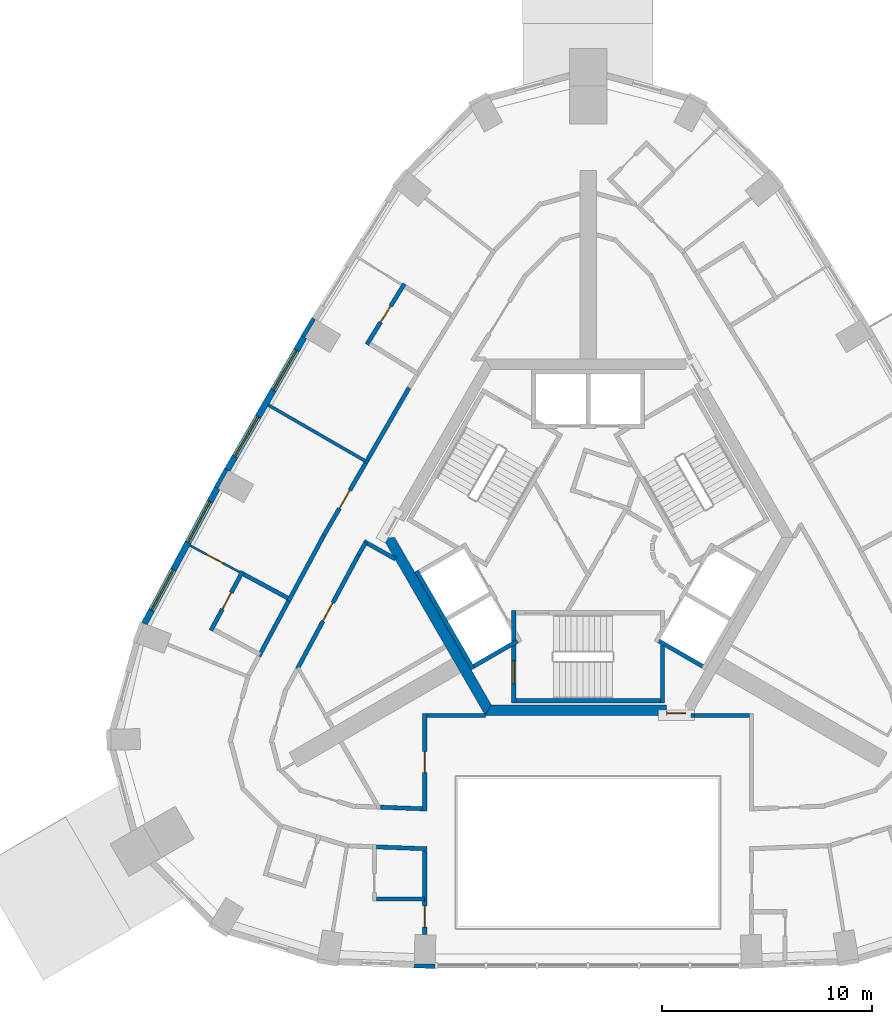
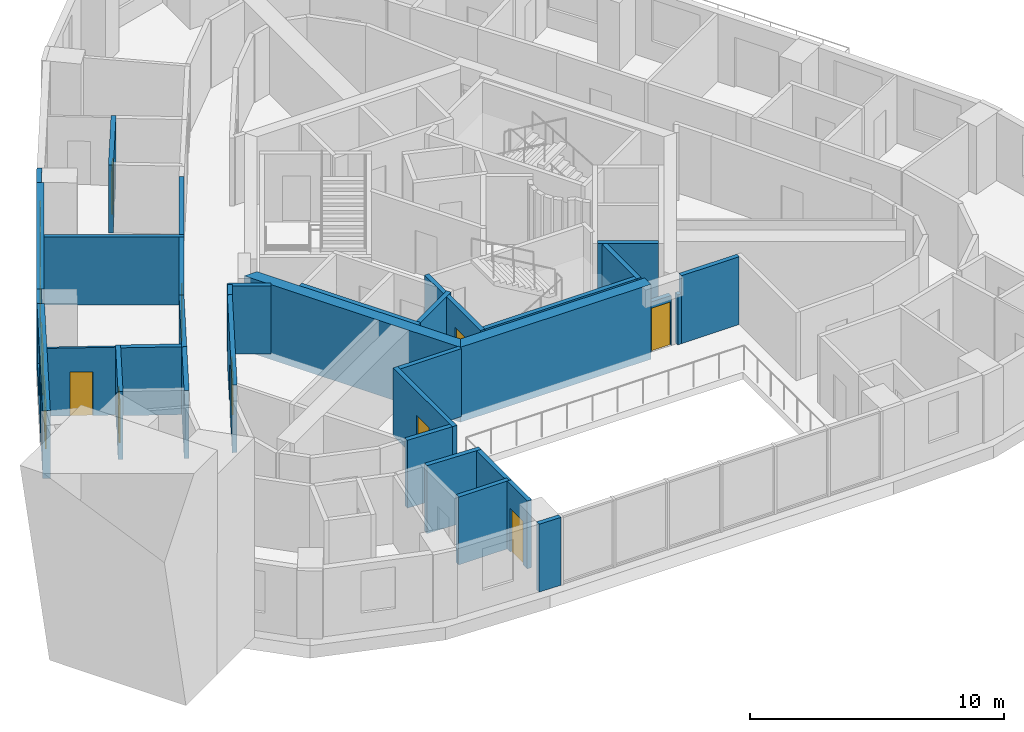
# One storey, part 4 of 11: 35 walls, 9 doors, 4 windows, 13 openings.
"""IFC4 building model written with IfcOpenShell, lengths in metres."""

from ifc_helpers import new_model, si_unit, direction, frame, frame_2d, origin, place, context, subcontext, project, spatial, polyline, rectangle, outline, extrude, material, layer, layer_set, type_object, element, fill, save


model = new_model("IFC4")

# Units and contexts
model_context = context("Model", 3, precision=1e-05, world=origin(), true_north=direction((0.0, 1.0)))
body_context = subcontext(model_context, "Body", "Model", "MODEL_VIEW")
ifc_project = project(units=[si_unit("LENGTHUNIT", "METRE"), si_unit("AREAUNIT", "SQUARE_METRE"), si_unit("VOLUMEUNIT", "CUBIC_METRE"), si_unit("PLANEANGLEUNIT", "RADIAN"), si_unit("MASSUNIT", "GRAM", prefix="KILO")], contexts=[model_context])

# Site, building, storey
site_placement = place(None, origin())
site = spatial("IfcSite", under=ifc_project, at=site_placement, CompositionType="ELEMENT")
building_placement = place(site_placement, origin())
building = spatial("IfcBuilding", under=site, at=building_placement, Name="Entoto Arch Interchange Tower", CompositionType="ELEMENT")
storey_placement = place(building_placement, frame((0.0, 0.0, 297.199951171875)))
storey = spatial("IfcBuildingStorey", under=building, at=storey_placement, Name="L69", CompositionType="ELEMENT", Elevation=297.199951171875)

# Wall, opening, door
ifc_material_1 = material(Name="Reinforced concrete C40/50", Category="concrete")
ifc_layer_1 = layer(ifc_material_1, 0.199951171875)
ifc_layer_set_1 = layer_set([ifc_layer_1], Name="Reinforced concrete C40/50")
wall_type_1 = type_object("IfcWallType", Name="CORE GAP INFILL WALL", PredefinedType="PARTITIONING", material=ifc_layer_set_1)
wall_1_placement = place(storey_placement, frame((3.75, -5.89990234375, 0.0), z_axis=(0.0, 0.0, 1.0), x_axis=(1.0, 0.0, 0.0)))
wall_1 = element("IfcWall", 1, at=wall_1_placement, inside=storey, type_object=wall_type_1, Name="wall:L69:gap1", PredefinedType="PARTITIONING", context=body_context, shape_type="SweptSolid", body=[
    extrude(rectangle(XDim=0.926025390625, YDim=0.199951171875, at=frame_2d((0.462890625, 0.0))), origin(), (0.0, 0.0, 1.0), 2.400146484375),
])
opening_1_placement = place(wall_1_placement, frame((0.01708984375, 0.0, 0.0)))
opening_1 = element("IfcOpeningElement", 2, at=opening_1_placement, cuts=wall_1, Name="Opening L69-D91", PredefinedType="OPENING", context=body_context, shape_type="SweptSolid", body=[
    extrude(rectangle(XDim=0.89990234375, YDim=2.10009765625, at=frame_2d((0.449951171875, 1.050048828125))), frame((0.0, 0.10986328125, 0.0), z_axis=(0.0, -1.0, 0.0), x_axis=(1.0, 0.0, 0.0)), (0.0, 0.0, 1.0), 0.219970703125),
])
ifc_material_2 = material(Name="Fire-rated Steel S235 door and frame", Category="steel")
door_type_1 = type_object("IfcDoorType", Name="DOOR FD-09 900x2100", OperationType="SINGLE_SWING_LEFT", PredefinedType="DOOR", material=ifc_material_2)
door_1_placement = place(opening_1_placement, origin())
door_1 = element("IfcDoor", 3, at=door_1_placement, inside=storey, type_object=door_type_1, Name="door:L69:gap1", OperationType="SINGLE_SWING_LEFT", OverallHeight=2.10009765625, OverallWidth=0.89990234375, PredefinedType="DOOR", context=body_context, shape_type="SweptSolid", body=[
    extrude(rectangle(XDim=0.89990234375, YDim=2.10009765625, at=frame_2d((0.449951171875, 1.050048828125))), frame((0.0, 0.02490234375, 0.0), z_axis=(0.0, -1.0, 0.0), x_axis=(1.0, 0.0, 0.0)), (0.0, 0.0, 1.0), 0.050048828125),
])
fill(opening_1, door_1)

# Walls
ifc_material_3 = material(Name="Concrete C40/50", Category="concrete")
ifc_layer_2 = layer(ifc_material_3, 0.5)
ifc_layer_set_2 = layer_set([ifc_layer_2], Name="Concrete C40/50")
wall_type_2 = type_object("IfcWallType", Name="Core wall 500 C40/50", PredefinedType="SHEAR", material=ifc_layer_set_2)
wall_2_placement = place(storey_placement, frame((0.0, 0.0, -0.33984375)))
element("IfcWall", 4, at=wall_2_placement, inside=storey, type_object=wall_type_2, Name="Core wall SW L69", PredefinedType="SHEAR", context=body_context, shape_type="SweptSolid", body=[
    extrude(outline(polyline([(-9.81494140625, 2.5), (-4.906982421875, -6.0), (-4.618896484375, -5.5), (-9.238037109375, 2.5), (-9.81494140625, 2.5)])), origin(), (0.0, 0.0, 1.0), 3.599853515625),
])
wall_3_placement = place(storey_placement, frame((0.0, 0.0, -0.33984375)))
element("IfcWall", 5, at=wall_3_placement, inside=storey, type_object=wall_type_2, Name="Core wall S L69", PredefinedType="SHEAR", context=body_context, shape_type="SweptSolid", body=[
    extrude(outline(polyline([(3.75, -6.0), (3.75, -5.5), (-4.618896484375, -5.5), (-4.906982421875, -6.0), (3.75, -6.0)])), origin(), (0.0, 0.0, 1.0), 3.599853515625),
])
ifc_layer_3 = layer(ifc_material_3, 0.199951171875)
ifc_layer_set_3 = layer_set([ifc_layer_3], Name="Concrete C40/50")
wall_type_3 = type_object("IfcWallType", Name="LIFT SHAFT WALL 200", PredefinedType="STANDARD", material=ifc_layer_set_3)
wall_4_placement = place(storey_placement, frame((-8.19189453125, 0.887939453125, 0.0), z_axis=(0.0, 0.0, 1.0), x_axis=(0.500034260056, -0.866005622828, 0.0)))
element("IfcWall", 6, at=wall_4_placement, inside=storey, type_object=wall_type_3, Name="Shaft wall SW1 back", PredefinedType="STANDARD", context=body_context, shape_type="SweptSolid", body=[
    extrude(rectangle(XDim=5.3994140625, YDim=0.199951171875, at=frame_2d((2.69970703125, 0.0))), origin(), (0.0, 0.0, 1.0), 3.260009765625),
])
for number, where, z_axis, x_axis, name in (
    (7, (-3.376953125, -2.451904296875, 0.0), (0.0, 0.0, 1.0), (-0.865955154139, -0.50012165622, 0.0), "Shaft wall SW1 cross 3"),
    (8, (3.376953125, -2.451904296875, 0.0), (0.0, 0.0, 1.0), (0.865955154139, -0.50012165622, 0.0), "Shaft wall SE1 cross 1"),
):
    element("IfcWall", number, at=place(storey_placement, frame(where, z_axis=z_axis, x_axis=x_axis)), inside=storey, type_object=wall_type_3, Name=name, PredefinedType="STANDARD", context=body_context, shape_type="SweptSolid", body=[
        extrude(rectangle(XDim=2.39990234375, YDim=0.199951171875, at=frame_2d((1.199951171875, 0.0))), origin(), (0.0, 0.0, 1.0), 3.260009765625),
    ])

# Wall, opening, door
ifc_material_4 = material(Name="Gypsum board partition on steel studs", Category="steel")
ifc_layer_4 = layer(ifc_material_4, 0.10009765625)
ifc_layer_set_4 = layer_set([ifc_layer_4], Name="Gypsum board partition on steel studs")
wall_type_4 = type_object("IfcWallType", Name="PARTITION 100", PredefinedType="PARTITIONING", material=ifc_layer_set_4)
wall_5_placement = place(storey_placement, frame((-16.62109375, 0.83203125, 0.0), z_axis=(0.0, 0.0, 1.0), x_axis=(-0.880914863524, 0.47327476504, 0.0)))
wall_5 = element("IfcWall", 9, at=wall_5_placement, inside=storey, type_object=wall_type_4, Name="wall:L69:p120", PredefinedType="PARTITIONING", context=body_context, shape_type="SweptSolid", body=[
    extrude(rectangle(XDim=2.700439453125, YDim=0.10009765625, at=frame_2d((1.35009765625, 0.0))), origin(), (0.0, 0.0, 1.0), 3.260009765625),
])
opening_2_placement = place(wall_5_placement, frame((0.89990234375, 0.0, 0.0)))
opening_2 = element("IfcOpeningElement", 10, at=opening_2_placement, cuts=wall_5, Name="Opening L69-D19", PredefinedType="OPENING", context=body_context, shape_type="SweptSolid", body=[
    extrude(rectangle(XDim=0.89990234375, YDim=2.10009765625, at=frame_2d((0.449951171875, 1.050048828125))), frame((0.0, 0.06005859375, 0.0), z_axis=(0.0, -1.0, 0.0), x_axis=(1.0, 0.0, 0.0)), (0.0, 0.0, 1.0), 0.1201171875),
])
ifc_material_5 = material(Name="Timber door leaf in Steel S235 frame", Category="steel")
door_type_2 = type_object("IfcDoorType", Name="DOOR DS-09 900x2100", OperationType="SINGLE_SWING_LEFT", PredefinedType="DOOR", material=ifc_material_5)
door_2_placement = place(opening_2_placement, origin())
door_2 = element("IfcDoor", 11, at=door_2_placement, inside=storey, type_object=door_type_2, Name="door:L69:19", OperationType="SINGLE_SWING_LEFT", OverallHeight=2.10009765625, OverallWidth=0.89990234375, PredefinedType="DOOR", context=body_context, shape_type="SweptSolid", body=[
    extrude(rectangle(XDim=0.89990234375, YDim=2.10009765625, at=frame_2d((0.449951171875, 1.050048828125))), frame((0.0, 0.02490234375, 0.0), z_axis=(0.0, -1.0, 0.0), x_axis=(1.0, 0.0, 0.0)), (0.0, 0.0, 1.0), 0.050048828125),
])
fill(opening_2, door_2)

# Walls
ifc_layer_5 = layer(ifc_material_4, 0.14990234375)
ifc_layer_set_5 = layer_set([ifc_layer_5], Name="Gypsum board partition on steel studs")
wall_type_5 = type_object("IfcWallType", Name="PARTITION 150", PredefinedType="PARTITIONING", material=ifc_layer_set_5)
wall_6_placement = place(storey_placement, frame((-10.493896484375, 6.05908203125, 0.0), z_axis=(0.0, 0.0, 1.0), x_axis=(-0.866027397988, 0.499996545922, 0.0)))
element("IfcWall", 12, at=wall_6_placement, inside=storey, type_object=wall_type_5, Name="wall:L69:p119", PredefinedType="PARTITIONING", context=body_context, shape_type="SweptSolid", body=[
    extrude(rectangle(XDim=5.5, YDim=0.14990234375, at=frame_2d((2.75, 0.0))), origin(), (0.0, 0.0, 1.0), 3.260009765625),
])
ifc_layer_6 = layer(ifc_material_4, 0.199951171875)
ifc_layer_set_6 = layer_set([ifc_layer_6], Name="Gypsum board partition on steel studs")
wall_type_6 = type_object("IfcWallType", Name="PARTITION 200", PredefinedType="PARTITIONING", material=ifc_layer_set_6)
wall_7_placement = place(storey_placement, frame((-9.202880859375, 1.465087890625, 0.0), z_axis=(0.0, 0.0, 1.0), x_axis=(-0.872243753731, 0.489071399775, 0.0)))
element("IfcWall", 13, at=wall_7_placement, inside=storey, type_object=wall_type_6, Name="wall:L69:p021", PredefinedType="PARTITIONING", context=body_context, shape_type="SweptSolid", body=[
    extrude(rectangle(XDim=1.71533203125, YDim=0.199951171875, at=frame_2d((0.857666015625, 0.0))), origin(), (0.0, 0.0, 1.0), 3.260009765625),
])
wall_8_placement = place(storey_placement, frame((-10.612060546875, 2.2548828125, 0.0), z_axis=(0.0, 0.0, 1.0), x_axis=(-0.499916971989, -0.866073334723, 0.0)))
element("IfcWall", 14, at=wall_8_placement, inside=storey, type_object=wall_type_6, Name="wall:L69:p022", PredefinedType="PARTITIONING", context=body_context, shape_type="SweptSolid", body=[
    extrude(rectangle(XDim=0.68798828125, YDim=0.199951171875, at=frame_2d((0.343994140625, 0.0))), origin(), (0.0, 0.0, 1.0), 3.260009765625),
])

# Wall, opening, door
wall_9_placement = place(storey_placement, frame((-10.9560546875, 1.658935546875, 0.0), z_axis=(0.0, 0.0, 1.0), x_axis=(-0.473095976848, -0.881010894762, 0.0)))
wall_9 = element("IfcWall", 15, at=wall_9_placement, inside=storey, type_object=wall_type_6, Name="wall:L69:p023", PredefinedType="PARTITIONING", context=body_context, shape_type="SweptSolid", body=[
    extrude(rectangle(XDim=6.18017578125, YDim=0.199951171875, at=frame_2d((3.090087890625, 0.0))), origin(), (0.0, 0.0, 1.0), 3.260009765625),
])
opening_3_placement = place(wall_9_placement, frame((2.590087890625, 0.0, 0.0)))
opening_3 = element("IfcOpeningElement", 16, at=opening_3_placement, cuts=wall_9, Name="Opening L69-D28", PredefinedType="OPENING", context=body_context, shape_type="SweptSolid", body=[
    extrude(rectangle(XDim=1.0, YDim=2.10009765625, at=frame_2d((0.5, 1.050048828125))), frame((0.0, 0.10986328125, 0.0), z_axis=(0.0, -1.0, 0.0), x_axis=(1.0, 0.0, 0.0)), (0.0, 0.0, 1.0), 0.219970703125),
])
door_type_3 = type_object("IfcDoorType", Name="DOOR DS-10 1000x2100", OperationType="SINGLE_SWING_LEFT", PredefinedType="DOOR", material=ifc_material_5)
door_3_placement = place(opening_3_placement, origin())
door_3 = element("IfcDoor", 17, at=door_3_placement, inside=storey, type_object=door_type_3, Name="door:L69:28", OperationType="SINGLE_SWING_LEFT", OverallHeight=2.10009765625, OverallWidth=1.0, PredefinedType="DOOR", context=body_context, shape_type="SweptSolid", body=[
    extrude(rectangle(XDim=1.0, YDim=2.10009765625, at=frame_2d((0.5, 1.050048828125))), frame((0.0, 0.02490234375, 0.0), z_axis=(0.0, -1.0, 0.0), x_axis=(1.0, 0.0, 0.0)), (0.0, 0.0, 1.0), 0.050048828125),
])
fill(opening_3, door_3)

# Walls
wall_10_placement = place(storey_placement, frame((-9.902099609375, -10.3798828125, 0.0), z_axis=(0.0, 0.0, 1.0), x_axis=(0.999295503749, -0.037529937222, 0.0)))
element("IfcWall", 18, at=wall_10_placement, inside=storey, type_object=wall_type_6, Name="wall:L69:p024", PredefinedType="PARTITIONING", context=body_context, shape_type="SweptSolid", body=[
    extrude(rectangle(XDim=2.003662109375, YDim=0.199951171875, at=frame_2d((1.001953125, 0.0))), origin(), (0.0, 0.0, 1.0), 3.260009765625),
])
wall_11_placement = place(storey_placement, frame((-10.54296875, 6.174072265625, 0.0), z_axis=(0.0, 0.0, 1.0), x_axis=(0.50008212199, 0.86597798544, 0.0)))
element("IfcWall", 19, at=wall_11_placement, inside=storey, type_object=wall_type_6, Name="wall:L69:p049", PredefinedType="PARTITIONING", context=body_context, shape_type="SweptSolid", body=[
    extrude(rectangle(XDim=3.995361328125, YDim=0.199951171875, at=frame_2d((1.99755859375, 0.0))), origin(), (0.0, 0.0, 1.0), 3.260009765625),
])
wall_12_placement = place(storey_placement, frame((-14.2900390625, -0.532958984375, 0.0), z_axis=(0.0, 0.0, 1.0), x_axis=(0.473161350875, 0.880975786295, 0.0)))
element("IfcWall", 20, at=wall_12_placement, inside=storey, type_object=wall_type_6, Name="wall:L69:p052", PredefinedType="PARTITIONING", context=body_context, shape_type="SweptSolid", body=[
    extrude(rectangle(XDim=3.5380859375, YDim=0.199951171875, at=frame_2d((1.76904296875, 0.0))), origin(), (0.0, 0.0, 1.0), 3.260009765625),
])

# Wall, opening, door
wall_13_placement = place(storey_placement, frame((-12.615966796875, 2.583984375, 0.0), z_axis=(0.0, 0.0, 1.0), x_axis=(0.50008212199, 0.86597798544, 0.0)))
wall_13 = element("IfcWall", 21, at=wall_13_placement, inside=storey, type_object=wall_type_6, Name="wall:L69:p053", PredefinedType="PARTITIONING", context=body_context, shape_type="SweptSolid", body=[
    extrude(rectangle(XDim=3.995361328125, YDim=0.199951171875, at=frame_2d((1.99755859375, 0.0))), origin(), (0.0, 0.0, 1.0), 3.260009765625),
])
opening_4_placement = place(wall_13_placement, frame((1.498046875, 0.0, 0.0)))
opening_4 = element("IfcOpeningElement", 22, at=opening_4_placement, cuts=wall_13, Name="Opening L69-D18", PredefinedType="OPENING", context=body_context, shape_type="SweptSolid", body=[
    extrude(rectangle(XDim=1.0, YDim=2.10009765625, at=frame_2d((0.5, 1.050048828125))), frame((0.0, 0.10986328125, 0.0), z_axis=(0.0, -1.0, 0.0), x_axis=(1.0, 0.0, 0.0)), (0.0, 0.0, 1.0), 0.219970703125),
])
door_type_4 = type_object("IfcDoorType", Name="DOOR FD-10 1000x2100", OperationType="SINGLE_SWING_LEFT", PredefinedType="DOOR", material=ifc_material_2)
door_4_placement = place(opening_4_placement, origin())
door_4 = element("IfcDoor", 23, at=door_4_placement, inside=storey, type_object=door_type_4, Name="door:L69:18", OperationType="SINGLE_SWING_LEFT", OverallHeight=2.10009765625, OverallWidth=1.0, PredefinedType="DOOR", context=body_context, shape_type="SweptSolid", body=[
    extrude(rectangle(XDim=1.0, YDim=2.10009765625, at=frame_2d((0.5, 1.050048828125))), frame((0.0, 0.02490234375, 0.0), z_axis=(0.0, -1.0, 0.0), x_axis=(1.0, 0.0, 0.0)), (0.0, 0.0, 1.0), 0.050048828125),
])
fill(opening_4, door_4)

# Walls
wall_14_placement = place(storey_placement, frame((-15.7099609375, -3.176025390625, 0.0), z_axis=(0.0, 0.0, 1.0), x_axis=(0.473255284848, 0.880925329051, 0.0)))
element("IfcWall", 24, at=wall_14_placement, inside=storey, type_object=wall_type_6, Name="wall:L69:p055", PredefinedType="PARTITIONING", context=body_context, shape_type="SweptSolid", body=[
    extrude(rectangle(XDim=3.000244140625, YDim=0.199951171875, at=frame_2d((1.5, 0.0))), origin(), (0.0, 0.0, 1.0), 3.260009765625),
])
wall_15_placement = place(storey_placement, frame((-7.699951171875, -12.364013671875, 0.0), z_axis=(0.0, 0.0, 1.0), x_axis=(-0.999295758095, 0.037523164215, 0.0)))
element("IfcWall", 25, at=wall_15_placement, inside=storey, type_object=wall_type_6, Name="wall:L69:p062", PredefinedType="PARTITIONING", context=body_context, shape_type="SweptSolid", body=[
    extrude(rectangle(XDim=2.40087890625, YDim=0.199951171875, at=frame_2d((1.200439453125, 0.0))), origin(), (0.0, 0.0, 1.0), 3.260009765625),
])
wall_16_placement = place(storey_placement, frame((4.907958984375, -5.9990234375, 0.0), z_axis=(0.0, 0.0, 1.0), x_axis=(1.0, 0.0, 0.0)))
element("IfcWall", 26, at=wall_16_placement, inside=storey, type_object=wall_type_6, Name="wall:L69:p075", PredefinedType="PARTITIONING", context=body_context, shape_type="SweptSolid", body=[
    extrude(rectangle(XDim=0.16796875, YDim=0.199951171875, at=frame_2d((0.083984375, 0.0))), origin(), (0.0, 0.0, 1.0), 2.400146484375),
])

# Wall, opening, door
wall_17_placement = place(storey_placement, frame((-7.800048828125, -10.55908203125, 0.0), z_axis=(0.0, 0.0, 1.0), x_axis=(0.0, 1.0, 0.0)))
wall_17 = element("IfcWall", 27, at=wall_17_placement, inside=storey, type_object=wall_type_6, Name="wall:L69:p077", PredefinedType="PARTITIONING", context=body_context, shape_type="SweptSolid", body=[
    extrude(rectangle(XDim=4.66015625, YDim=0.199951171875, at=frame_2d((2.330078125, 0.0))), origin(), (0.0, 0.0, 1.0), 3.260009765625),
])
opening_5_placement = place(wall_17_placement, frame((1.830078125, 0.0, 0.0)))
opening_5 = element("IfcOpeningElement", 28, at=opening_5_placement, cuts=wall_17, Name="Opening L69-D29", PredefinedType="OPENING", context=body_context, shape_type="SweptSolid", body=[
    extrude(rectangle(XDim=1.0, YDim=2.10009765625, at=frame_2d((0.5, 1.050048828125))), frame((0.0, 0.10986328125, 0.0), z_axis=(0.0, -1.0, 0.0), x_axis=(1.0, 0.0, 0.0)), (0.0, 0.0, 1.0), 0.219970703125),
])
door_5_placement = place(opening_5_placement, origin())
door_5 = element("IfcDoor", 29, at=door_5_placement, inside=storey, type_object=door_type_3, Name="door:L69:29", OperationType="SINGLE_SWING_LEFT", OverallHeight=2.10009765625, OverallWidth=1.0, PredefinedType="DOOR", context=body_context, shape_type="SweptSolid", body=[
    extrude(rectangle(XDim=1.0, YDim=2.10009765625, at=frame_2d((0.5, 1.050048828125))), frame((0.0, 0.02490234375, 0.0), z_axis=(0.0, -1.0, 0.0), x_axis=(1.0, 0.0, 0.0)), (0.0, 0.0, 1.0), 0.050048828125),
])
fill(opening_5, door_5)

# Wall
wall_18_placement = place(storey_placement, frame((-7.699951171875, -5.9990234375, 0.0), z_axis=(0.0, 0.0, 1.0), x_axis=(1.0, 0.0, 0.0)))
element("IfcWall", 30, at=wall_18_placement, inside=storey, type_object=wall_type_6, Name="wall:L69:p078", PredefinedType="PARTITIONING", context=body_context, shape_type="SweptSolid", body=[
    extrude(rectangle(XDim=2.7919921875, YDim=0.199951171875, at=frame_2d((1.39599609375, 0.0))), origin(), (0.0, 0.0, 1.0), 3.260009765625),
])

# Wall, opening, door
wall_19_placement = place(storey_placement, frame((-7.800048828125, -16.444091796875, 0.0), z_axis=(0.0, 0.0, 1.0), x_axis=(0.0, 1.0, 0.0)))
wall_19 = element("IfcWall", 31, at=wall_19_placement, inside=storey, type_object=wall_type_6, Name="wall:L69:p081", PredefinedType="PARTITIONING", context=body_context, shape_type="SweptSolid", body=[
    extrude(rectangle(XDim=1.583984375, YDim=0.199951171875, at=frame_2d((0.7919921875, 0.0))), origin(), (0.0, 0.0, 1.0), 3.260009765625),
])
opening_6_placement = place(wall_19_placement, frame((0.342041015625, 0.0, 0.0)))
opening_6 = element("IfcOpeningElement", 32, at=opening_6_placement, cuts=wall_19, Name="Opening L69-D23", PredefinedType="OPENING", context=body_context, shape_type="SweptSolid", body=[
    extrude(rectangle(XDim=1.0, YDim=2.10009765625, at=frame_2d((0.5, 1.050048828125))), frame((0.0, 0.10986328125, 0.0), z_axis=(0.0, -1.0, 0.0), x_axis=(1.0, 0.0, 0.0)), (0.0, 0.0, 1.0), 0.219970703125),
])
door_6_placement = place(opening_6_placement, origin())
door_6 = element("IfcDoor", 33, at=door_6_placement, inside=storey, type_object=door_type_4, Name="door:L69:23", OperationType="SINGLE_SWING_RIGHT", OverallHeight=2.10009765625, OverallWidth=1.0, PredefinedType="DOOR", context=body_context, shape_type="SweptSolid", body=[
    extrude(rectangle(XDim=1.0, YDim=2.10009765625, at=frame_2d((0.5, 1.050048828125))), frame((0.0, 0.02490234375, 0.0), z_axis=(0.0, -1.0, 0.0), x_axis=(1.0, 0.0, 0.0)), (0.0, 0.0, 1.0), 0.050048828125),
])
fill(opening_6, door_6)

# Wall
wall_20_placement = place(storey_placement, frame((-7.800048828125, -14.860107421875, 0.0), z_axis=(0.0, 0.0, 1.0), x_axis=(0.0, 1.0, 0.0)))
element("IfcWall", 34, at=wall_20_placement, inside=storey, type_object=wall_type_6, Name="wall:L69:p082", PredefinedType="PARTITIONING", context=body_context, shape_type="SweptSolid", body=[
    extrude(rectangle(XDim=2.400146484375, YDim=0.199951171875, at=frame_2d((1.2001953125, 0.0))), origin(), (0.0, 0.0, 1.0), 3.260009765625),
])

# Wall, opening, door
wall_21_placement = place(storey_placement, frame((-8.76806640625, 14.593994140625, 0.0), z_axis=(0.0, 0.0, 1.0), x_axis=(-0.526418877713, -0.850225361412, 0.0)))
wall_21 = element("IfcWall", 35, at=wall_21_placement, inside=storey, type_object=wall_type_6, Name="wall:L69:p117", PredefinedType="PARTITIONING", context=body_context, shape_type="SweptSolid", body=[
    extrude(rectangle(XDim=3.400390625, YDim=0.199951171875, at=frame_2d((1.7001953125, 0.0))), origin(), (0.0, 0.0, 1.0), 3.260009765625),
])
opening_7_placement = place(wall_21_placement, frame((1.25, 0.0, 0.0)))
opening_7 = element("IfcOpeningElement", 36, at=opening_7_placement, cuts=wall_21, Name="Opening L69-D17", PredefinedType="OPENING", context=body_context, shape_type="SweptSolid", body=[
    extrude(rectangle(XDim=0.89990234375, YDim=2.10009765625, at=frame_2d((0.449951171875, 1.050048828125))), frame((0.0, 0.10986328125, 0.0), z_axis=(0.0, -1.0, 0.0), x_axis=(1.0, 0.0, 0.0)), (0.0, 0.0, 1.0), 0.219970703125),
])
door_7_placement = place(opening_7_placement, origin())
door_7 = element("IfcDoor", 37, at=door_7_placement, inside=storey, type_object=door_type_2, Name="door:L69:17", OperationType="SINGLE_SWING_LEFT", OverallHeight=2.10009765625, OverallWidth=0.89990234375, PredefinedType="DOOR", context=body_context, shape_type="SweptSolid", body=[
    extrude(rectangle(XDim=0.89990234375, YDim=2.10009765625, at=frame_2d((0.449951171875, 1.050048828125))), frame((0.0, 0.02490234375, 0.0), z_axis=(0.0, -1.0, 0.0), x_axis=(1.0, 0.0, 0.0)), (0.0, 0.0, 1.0), 0.050048828125),
])
fill(opening_7, door_7)

# Wall
wall_22_placement = place(storey_placement, frame((-14.3310546875, -0.39794921875, 0.0), z_axis=(0.0, 0.0, 1.0), x_axis=(-0.880875830026, 0.473347411608, 0.0)))
element("IfcWall", 38, at=wall_22_placement, inside=storey, type_object=wall_type_6, Name="wall:L69:p121", PredefinedType="PARTITIONING", context=body_context, shape_type="SweptSolid", body=[
    extrude(rectangle(XDim=2.39990234375, YDim=0.199951171875, at=frame_2d((1.199951171875, 0.0))), origin(), (0.0, 0.0, 1.0), 3.260009765625),
])

# Wall, opening, door
wall_23_placement = place(storey_placement, frame((-16.486083984375, 0.873046875, 0.0), z_axis=(0.0, 0.0, 1.0), x_axis=(-0.473116768279, -0.88099972961, 0.0)))
wall_23 = element("IfcWall", 39, at=wall_23_placement, inside=storey, type_object=wall_type_6, Name="wall:L69:p122", PredefinedType="PARTITIONING", context=body_context, shape_type="SweptSolid", body=[
    extrude(rectangle(XDim=3.199951171875, YDim=0.199951171875, at=frame_2d((1.60009765625, 0.0))), origin(), (0.0, 0.0, 1.0), 3.260009765625),
])
opening_8_placement = place(wall_23_placement, frame((1.14990234375, 0.0, 0.0)))
opening_8 = element("IfcOpeningElement", 40, at=opening_8_placement, cuts=wall_23, Name="Opening L69-D20", PredefinedType="OPENING", context=body_context, shape_type="SweptSolid", body=[
    extrude(rectangle(XDim=0.89990234375, YDim=2.10009765625, at=frame_2d((0.449951171875, 1.050048828125))), frame((0.0, 0.10986328125, 0.0), z_axis=(0.0, -1.0, 0.0), x_axis=(1.0, 0.0, 0.0)), (0.0, 0.0, 1.0), 0.219970703125),
])
door_8_placement = place(opening_8_placement, origin())
door_8 = element("IfcDoor", 41, at=door_8_placement, inside=storey, type_object=door_type_2, Name="door:L69:20", OperationType="SINGLE_SWING_LEFT", OverallHeight=2.10009765625, OverallWidth=0.89990234375, PredefinedType="DOOR", context=body_context, shape_type="SweptSolid", body=[
    extrude(rectangle(XDim=0.89990234375, YDim=2.10009765625, at=frame_2d((0.449951171875, 1.050048828125))), frame((0.0, 0.02490234375, 0.0), z_axis=(0.0, -1.0, 0.0), x_axis=(1.0, 0.0, 0.0)), (0.0, 0.0, 1.0), 0.050048828125),
])
fill(opening_8, door_8)

# Walls
wall_24_placement = place(storey_placement, frame((-10.10009765625, -14.760009765625, 0.0), z_axis=(0.0, 0.0, 1.0), x_axis=(1.0, 0.0, 0.0)))
element("IfcWall", 42, at=wall_24_placement, inside=storey, type_object=wall_type_6, Name="wall:L69:p130", PredefinedType="PARTITIONING", context=body_context, shape_type="SweptSolid", body=[
    extrude(rectangle(XDim=2.300048828125, YDim=0.199951171875, at=frame_2d((1.14990234375, 0.0))), origin(), (0.0, 0.0, 1.0), 3.260009765625),
])
wall_25_placement = place(storey_placement, frame((5.075927734375, -5.9990234375, 0.0), z_axis=(0.0, 0.0, 1.0), x_axis=(1.0, 0.0, 0.0)))
element("IfcWall", 43, at=wall_25_placement, inside=storey, type_object=wall_type_6, Name="wall:L69:p075", PredefinedType="PARTITIONING", context=body_context, shape_type="SweptSolid", body=[
    extrude(rectangle(XDim=2.6240234375, YDim=0.199951171875, at=frame_2d((1.31201171875, 0.0))), origin(), (0.0, 0.0, 1.0), 3.260009765625),
])

# Wall, opening, door
ifc_layer_7 = layer(ifc_material_3, 0.199951171875)
ifc_layer_set_7 = layer_set([ifc_layer_7], Name="Concrete C40/50")
wall_type_7 = type_object("IfcWallType", Name="STAIR ENCLOSURE WALL 200", PredefinedType="STANDARD", material=ifc_layer_set_7)
wall_26_placement = place(storey_placement, frame((-3.550048828125, -1.0, 0.0), z_axis=(0.0, 0.0, 1.0), x_axis=(0.0, -1.0, 0.0)))
wall_26 = element("IfcWall", 44, at=wall_26_placement, inside=storey, type_object=wall_type_7, Name="Stair wall ST-S near", PredefinedType="STANDARD", context=body_context, shape_type="SweptSolid", body=[
    extrude(rectangle(XDim=4.39990234375, YDim=0.199951171875, at=frame_2d((2.199951171875, 0.0))), origin(), (0.0, 0.0, 1.0), 3.260009765625),
])
opening_9_placement = place(wall_26_placement, frame((2.39990234375, 0.0, 0.0)))
opening_9 = element("IfcOpeningElement", 45, at=opening_9_placement, cuts=wall_26, Name="Opening SD-ST-S-L69-E", PredefinedType="OPENING", context=body_context, shape_type="SweptSolid", body=[
    extrude(rectangle(XDim=1.10009765625, YDim=2.199951171875, at=frame_2d((0.550048828125, 1.10009765625))), frame((0.0, 0.10986328125, 0.0), z_axis=(0.0, -1.0, 0.0), x_axis=(1.0, 0.0, 0.0)), (0.0, 0.0, 1.0), 0.219970703125),
])
ifc_material_6 = material(Name="Steel S235", Category="steel")
door_type_5 = type_object("IfcDoorType", Name="STAIR DOOR SD1 1100x2200", OperationType="SINGLE_SWING_LEFT", PredefinedType="DOOR", material=ifc_material_6)
door_9_placement = place(opening_9_placement, origin())
door_9 = element("IfcDoor", 46, at=door_9_placement, inside=storey, type_object=door_type_5, Name="Stair door ST-S L69 end", OperationType="SINGLE_SWING_LEFT", OverallHeight=2.199951171875, OverallWidth=1.10009765625, PredefinedType="DOOR", context=body_context, shape_type="SweptSolid", body=[
    extrude(rectangle(XDim=1.10009765625, YDim=2.199951171875, at=frame_2d((0.550048828125, 1.10009765625))), frame((0.0, 0.02490234375, 0.0), z_axis=(0.0, -1.0, 0.0), x_axis=(1.0, 0.0, 0.0)), (0.0, 0.0, 1.0), 0.050048828125),
])
fill(opening_9, door_9)

# Walls
wall_27_placement = place(storey_placement, frame((3.550048828125, -2.6669921875, 0.0), z_axis=(0.0, 0.0, 1.0), x_axis=(0.0, -1.0, 0.0)))
element("IfcWall", 47, at=wall_27_placement, inside=storey, type_object=wall_type_7, Name="Stair wall ST-S far", PredefinedType="STANDARD", context=body_context, shape_type="SweptSolid", body=[
    extrude(rectangle(XDim=2.73291015625, YDim=0.199951171875, at=frame_2d((1.366455078125, 0.0))), origin(), (0.0, 0.0, 1.0), 3.260009765625),
])
wall_28_placement = place(storey_placement, frame((-3.449951171875, -5.300048828125, 0.0), z_axis=(0.0, 0.0, 1.0), x_axis=(1.0, 0.0, 0.0)))
element("IfcWall", 48, at=wall_28_placement, inside=storey, type_object=wall_type_7, Name="Stair wall ST-S back", PredefinedType="STANDARD", context=body_context, shape_type="SweptSolid", body=[
    extrude(rectangle(XDim=6.89990234375, YDim=0.199951171875, at=frame_2d((3.449951171875, 0.0))), origin(), (0.0, 0.0, 1.0), 3.260009765625),
])

# Wall, openings, windows
ifc_material_7 = material(Name="Welded tuff (ignimbrite) cladding, warm buff", Category="masonry")
ifc_layer_8 = layer(ifc_material_7, 0.300048828125)
ifc_layer_set_8 = layer_set([ifc_layer_8], Name="Welded tuff (ignimbrite) cladding, warm buff")
wall_type_8 = type_object("IfcWallType", Name="STONE INFILL WALL 300", PredefinedType="STANDARD", material=ifc_layer_set_8)
wall_29_placement = place(storey_placement, frame((-13.55908203125, 12.051025390625, 0.0), z_axis=(0.0, 0.0, 1.0), x_axis=(-0.499905472729, -0.866079972252, 0.0)))
wall_29 = element("IfcWall", 49, at=wall_29_placement, inside=storey, type_object=wall_type_8, Name="Facade wall NW-02 L69", PredefinedType="STANDARD", context=body_context, shape_type="SweptSolid", body=[
    extrude(rectangle(XDim=7.3134765625, YDim=0.300048828125, at=frame_2d((3.65673828125, 0.0))), origin(), (0.0, 0.0, 1.0), 3.260009765625),
])
opening_10_placement = place(wall_29_placement, frame((0.72802734375, 0.0, 0.89990234375)))
opening_10 = element("IfcOpeningElement", 50, at=opening_10_placement, cuts=wall_29, Name="Opening WH-A", PredefinedType="OPENING", context=body_context, shape_type="SweptSolid", body=[
    extrude(rectangle(XDim=2.199951171875, YDim=2.0, at=frame_2d((1.10009765625, 1.0))), frame((0.0, 0.16015625, 0.0), z_axis=(0.0, -1.0, 0.0), x_axis=(1.0, 0.0, 0.0)), (0.0, 0.0, 1.0), 0.320068359375),
])
opening_11_placement = place(wall_29_placement, frame((4.385009765625, 0.0, 0.89990234375)))
opening_11 = element("IfcOpeningElement", 51, at=opening_11_placement, cuts=wall_29, Name="Opening WH-A", PredefinedType="OPENING", context=body_context, shape_type="SweptSolid", body=[
    extrude(rectangle(XDim=2.199951171875, YDim=2.0, at=frame_2d((1.10009765625, 1.0))), frame((0.0, 0.16015625, 0.0), z_axis=(0.0, -1.0, 0.0), x_axis=(1.0, 0.0, 0.0)), (0.0, 0.0, 1.0), 0.320068359375),
])
ifc_material_8 = material(Name="Clear glass, low-e double glazed", Category="glass")
window_type = type_object("IfcWindowType", Name="WINDOW WH-A 2200x2000", PartitioningType="DOUBLE_PANEL_VERTICAL", PredefinedType="WINDOW", material=ifc_material_8)
window_1_placement = place(opening_10_placement, origin())
window_1 = element("IfcWindow", 52, at=window_1_placement, inside=storey, type_object=window_type, Name="Window WH-A NW-02 L69", OverallHeight=2.0, OverallWidth=2.199951171875, PartitioningType="SINGLE_PANEL", PredefinedType="WINDOW", context=body_context, shape_type="SweptSolid", body=[
    extrude(rectangle(XDim=2.199951171875, YDim=2.0, at=frame_2d((1.10009765625, 1.0))), frame((0.0, 0.030029296875, 0.0), z_axis=(0.0, -1.0, 0.0), x_axis=(1.0, 0.0, 0.0)), (0.0, 0.0, 1.0), 0.06005859375),
])
fill(opening_10, window_1)
window_2_placement = place(opening_11_placement, origin())
window_2 = element("IfcWindow", 53, at=window_2_placement, inside=storey, type_object=window_type, Name="Window WH-A NW-02 L69", OverallHeight=2.0, OverallWidth=2.199951171875, PartitioningType="SINGLE_PANEL", PredefinedType="WINDOW", context=body_context, shape_type="SweptSolid", body=[
    extrude(rectangle(XDim=2.199951171875, YDim=2.0, at=frame_2d((1.10009765625, 1.0))), frame((0.0, 0.030029296875, 0.0), z_axis=(0.0, -1.0, 0.0), x_axis=(1.0, 0.0, 0.0)), (0.0, 0.0, 1.0), 0.06005859375),
])
fill(opening_11, window_2)

wall_30_placement = place(storey_placement, frame((-17.700927734375, 4.844970703125, 0.0), z_axis=(0.0, 0.0, 1.0), x_axis=(-0.473225522632, -0.880941317415, 0.0)))
wall_30 = element("IfcWall", 54, at=wall_30_placement, inside=storey, type_object=wall_type_8, Name="Facade wall NW-03 L69", PredefinedType="STANDARD", context=body_context, shape_type="SweptSolid", body=[
    extrude(rectangle(XDim=7.345458984375, YDim=0.300048828125, at=frame_2d((3.6728515625, 0.0))), origin(), (0.0, 0.0, 1.0), 3.260009765625),
])
opening_12_placement = place(wall_30_placement, frame((0.736083984375, 0.0, 0.89990234375)))
opening_12 = element("IfcOpeningElement", 55, at=opening_12_placement, cuts=wall_30, Name="Opening WH-A", PredefinedType="OPENING", context=body_context, shape_type="SweptSolid", body=[
    extrude(rectangle(XDim=2.199951171875, YDim=2.0, at=frame_2d((1.10009765625, 1.0))), frame((0.0, 0.16015625, 0.0), z_axis=(0.0, -1.0, 0.0), x_axis=(1.0, 0.0, 0.0)), (0.0, 0.0, 1.0), 0.320068359375),
])
opening_13_placement = place(wall_30_placement, frame((4.408935546875, 0.0, 0.89990234375)))
opening_13 = element("IfcOpeningElement", 56, at=opening_13_placement, cuts=wall_30, Name="Opening WH-A", PredefinedType="OPENING", context=body_context, shape_type="SweptSolid", body=[
    extrude(rectangle(XDim=2.199951171875, YDim=2.0, at=frame_2d((1.10009765625, 1.0))), frame((0.0, 0.16015625, 0.0), z_axis=(0.0, -1.0, 0.0), x_axis=(1.0, 0.0, 0.0)), (0.0, 0.0, 1.0), 0.320068359375),
])
window_3_placement = place(opening_12_placement, origin())
window_3 = element("IfcWindow", 57, at=window_3_placement, inside=storey, type_object=window_type, Name="Window WH-A NW-03 L69", OverallHeight=2.0, OverallWidth=2.199951171875, PartitioningType="SINGLE_PANEL", PredefinedType="WINDOW", context=body_context, shape_type="SweptSolid", body=[
    extrude(rectangle(XDim=2.199951171875, YDim=2.0, at=frame_2d((1.10009765625, 1.0))), frame((0.0, 0.030029296875, 0.0), z_axis=(0.0, -1.0, 0.0), x_axis=(1.0, 0.0, 0.0)), (0.0, 0.0, 1.0), 0.06005859375),
])
fill(opening_12, window_3)
window_4_placement = place(opening_13_placement, origin())
window_4 = element("IfcWindow", 58, at=window_4_placement, inside=storey, type_object=window_type, Name="Window WH-A NW-03 L69", OverallHeight=2.0, OverallWidth=2.199951171875, PartitioningType="SINGLE_PANEL", PredefinedType="WINDOW", context=body_context, shape_type="SweptSolid", body=[
    extrude(rectangle(XDim=2.199951171875, YDim=2.0, at=frame_2d((1.10009765625, 1.0))), frame((0.0, 0.030029296875, 0.0), z_axis=(0.0, -1.0, 0.0), x_axis=(1.0, 0.0, 0.0)), (0.0, 0.0, 1.0), 0.06005859375),
])
fill(opening_13, window_4)

# Walls
ifc_layer_9 = layer(ifc_material_7, 0.199951171875)
ifc_layer_set_9 = layer_set([ifc_layer_9], Name="Welded tuff (ignimbrite) cladding, warm buff")
wall_type_9 = type_object("IfcWallType", Name="STONE PIER CLADDING 200", PredefinedType="STANDARD", material=ifc_layer_set_9)
for number, where, z_axis, x_axis, name in (
    (59, (-13.094970703125, 12.93798828125, 0.0), (0.0, 0.0, 1.0), (-0.513885310016, -0.857858897576, 0.0), "Stone pier NW02 L69"),
    (60, (-17.26611328125, 5.74609375, 0.0), (0.0, 0.0, 1.0), (-0.485850211157, -0.874042088414, 0.0), "Stone pier NW03 L69"),
):
    element("IfcWall", number, at=place(storey_placement, frame(where, z_axis=z_axis, x_axis=x_axis)), inside=storey, type_object=wall_type_9, Name=name, PredefinedType="STANDARD", context=body_context, shape_type="SweptSolid", body=[
        extrude(rectangle(XDim=1.0, YDim=0.199951171875, at=frame_2d((0.5, 0.0))), origin(), (0.0, 0.0, 1.0), 3.260009765625),
    ])
wall_31_placement = place(storey_placement, frame((-8.298095703125, -17.9541015625, 0.0), z_axis=(0.0, 0.0, 1.0), x_axis=(0.999799669399, -0.020015520725, 0.0)))
element("IfcWall", 61, at=wall_31_placement, inside=storey, type_object=wall_type_9, Name="Stone pier S02 L69", PredefinedType="STANDARD", context=body_context, shape_type="SweptSolid", body=[
    extrude(rectangle(XDim=1.000244140625, YDim=0.199951171875, at=frame_2d((0.5, 0.0))), origin(), (0.0, 0.0, 1.0), 3.260009765625),
])

save(model, "model.ifc")
